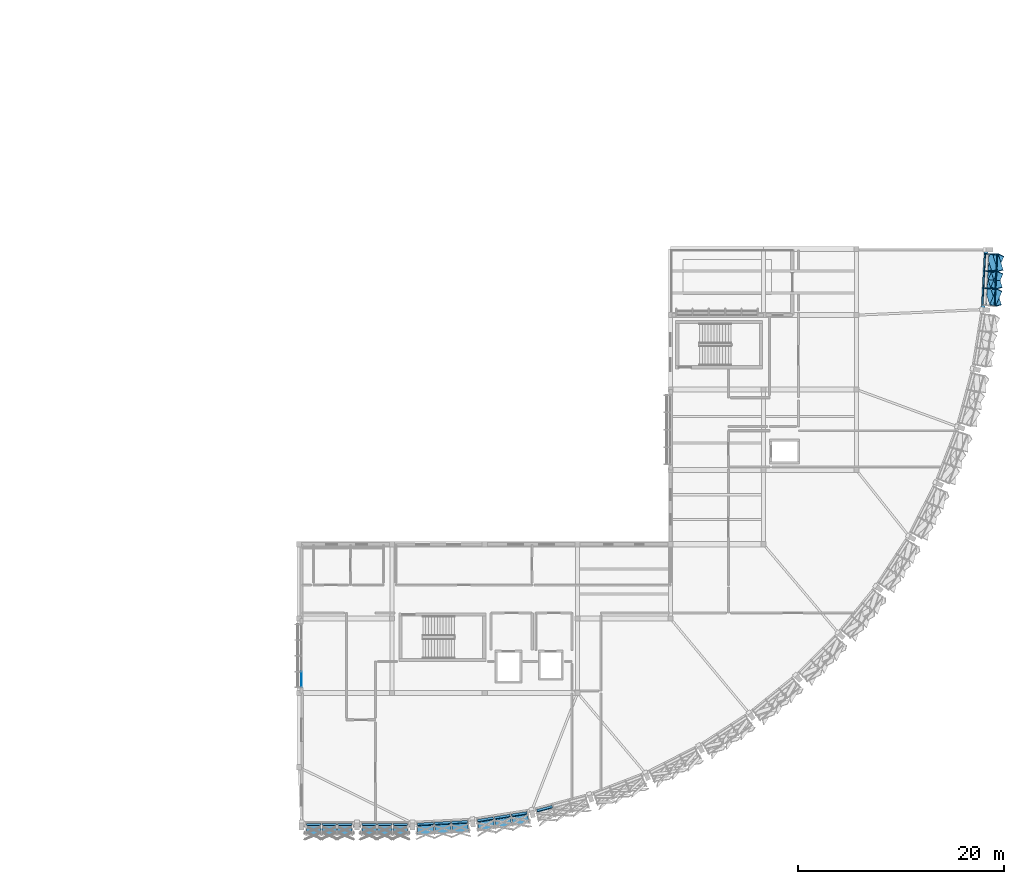
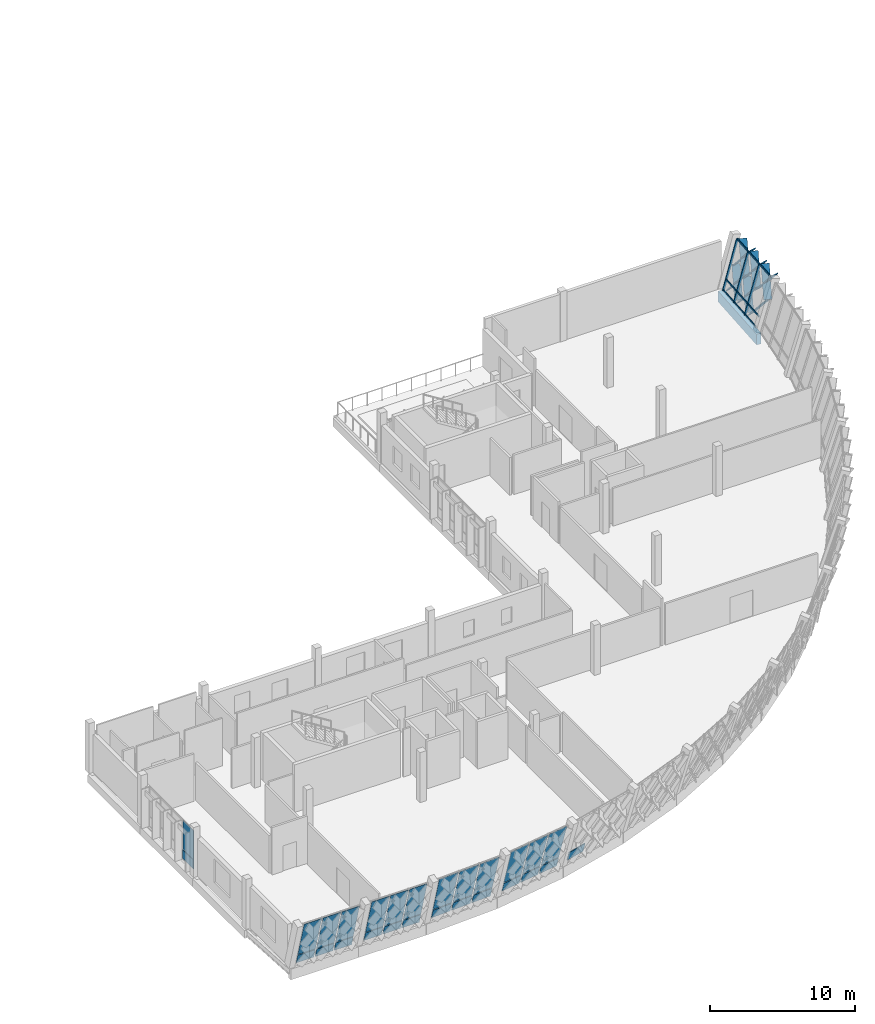
# One storey, part 14 of 24: 27 plates, 17 members, 1 beam, 7 elements without a shape of their own.
"""IFC4 building model written with IfcOpenShell, lengths in metres."""

from ifc_helpers import new_model, si_unit, direction, frame, origin, origin_2d, place, context, subcontext, project, spatial, polyline, rectangle, hollow_rectangle, outline, extrude, material, layer, layer_set, material_profile, profile_set, type_object, element, aggregate, save


model = new_model("IFC4")

# Units and contexts
model_context = context("Model", 3, precision=1e-05, world=origin(), true_north=direction((0.0, 1.0)))
body_context = subcontext(model_context, "Body", "Model", "MODEL_VIEW")
ifc_project = project(units=[si_unit("LENGTHUNIT", "METRE"), si_unit("AREAUNIT", "SQUARE_METRE"), si_unit("VOLUMEUNIT", "CUBIC_METRE"), si_unit("PLANEANGLEUNIT", "RADIAN"), si_unit("MASSUNIT", "GRAM", prefix="KILO")], contexts=[model_context])

# Site, building, storey
site_placement = place(None, origin())
site = spatial("IfcSite", under=ifc_project, at=site_placement, CompositionType="ELEMENT")
building_placement = place(site_placement, origin())
building = spatial("IfcBuilding", under=site, at=building_placement, Name="Chiffa Square Polytechnic", CompositionType="ELEMENT")
storey_placement = place(building_placement, frame((0.0, 0.0, 22.199951171875)))
storey = spatial("IfcBuildingStorey", under=building, at=storey_placement, Name="L05", CompositionType="ELEMENT", Elevation=22.199951171875)

# Curtain wall, members
ifc_material_1 = material(Name="Aluminium EN AW-6060 T66 and glulam shading", Category="wood")
curtain_wall_type_1 = type_object("IfcCurtainWallType", Name="CW-PROW-LEAN-150", PredefinedType="USERDEFINED", material=ifc_material_1)
curtain_wall_1_placement = place(storey_placement, origin())
curtain_wall_1 = element("IfcCurtainWall", 1, at=curtain_wall_1_placement, inside=storey, type_object=curtain_wall_type_1, Name="Outward-leaning diamond-fin prow curtain wall CW-V1-L05-094", ObjectType="CURTAIN WALL", PredefinedType="USERDEFINED")
ifc_material_2 = material(Name="Aluminium EN AW-6060 T66", Category="aluminium")
ifc_material_profile_1 = material_profile(ifc_material_2, hollow_rectangle(XDim=0.06494140625, YDim=0.179931640625, WallThickness=0.00390625, at=origin_2d()), Name="ALU 65x180x4")
ifc_profile_set_1 = profile_set([ifc_material_profile_1], Name="Aluminium EN AW-6060 T66")
member_type_1 = type_object("IfcMemberType", Name="CWM-ALU-75X180", PredefinedType="MULLION", material=ifc_profile_set_1)
member_1_placement = place(storey_placement, frame((178.569580078125, 53.62109375, 0.0), z_axis=(0.271465499192, -0.019065743909, 0.962259310247), x_axis=(0.070060081722, 0.997542773494, 0.0)))
member_1 = element("IfcMember", 2, at=member_1_placement, type_object=member_type_1, Name="Leaning prow mullion CW-V1-L05-094-M01", PredefinedType="MULLION", context=body_context, shape_type="SweptSolid", body=[
    extrude(hollow_rectangle(XDim=0.06494140625, YDim=0.179931640625, WallThickness=0.00390625, at=origin_2d()), origin(), (0.0, 0.0, 1.0), 4.135986328125),
])
member_2_placement = place(storey_placement, frame((178.65625, 55.27099609375, 0.0), z_axis=(0.271885307091, -0.009503589762, 0.962282734735), x_axis=(0.03493307301, 0.999389653944, 0.0)))
member_2 = element("IfcMember", 3, at=member_2_placement, type_object=member_type_1, Name="Leaning prow mullion CW-V1-L05-094-M02", PredefinedType="MULLION", context=body_context, shape_type="SweptSolid", body=[
    extrude(hollow_rectangle(XDim=0.06494140625, YDim=0.179931640625, WallThickness=0.00390625, at=origin_2d()), origin(), (0.0, 0.0, 1.0), 4.135986328125),
])
member_3_placement = place(storey_placement, frame((178.742919921875, 56.9208984375, 0.0), z_axis=(0.272225541224, 0.0, 0.962233472036), x_axis=(0.0, 1.0, 0.0)))
member_3 = element("IfcMember", 4, at=member_3_placement, type_object=member_type_1, Name="Leaning prow mullion CW-V1-L05-094-M03", PredefinedType="MULLION", context=body_context, shape_type="SweptSolid", body=[
    extrude(hollow_rectangle(XDim=0.06494140625, YDim=0.179931640625, WallThickness=0.00390625, at=origin_2d()), origin(), (0.0, 0.0, 1.0), 4.13623046875),
])
ifc_material_3 = material(Name="Glulam GL28h", Category="wood")
ifc_material_profile_2 = material_profile(ifc_material_3, rectangle(XDim=0.080078125, YDim=0.580078125, at=origin_2d()), Name="GL28h 80x580")
ifc_profile_set_2 = profile_set([ifc_material_profile_2], Name="Glulam GL28h")
member_type_2 = type_object("IfcMemberType", Name="CWM-GL-80X580", PredefinedType="MULLION", material=ifc_profile_set_2)
member_4_placement = place(storey_placement, frame((178.950927734375, 53.510009765625, 0.0400390625), z_axis=(0.187310678606, -0.605418330904, 0.77355242504), x_axis=(-0.178325938033, 0.753447584848, 0.632863805815)))
member_4 = element("IfcMember", 5, at=member_4_placement, type_object=member_type_2, Name="Diamond glulam fin CW-V1-L05-094-DF01B", PredefinedType="MULLION", context=body_context, shape_type="SweptSolid", body=[
    extrude(rectangle(XDim=0.080078125, YDim=0.580078125, at=origin_2d()), origin(), (0.0, 0.0, 1.0), 2.520751953125),
])
member_5_placement = place(storey_placement, frame((179.423095703125, 51.98388671875, 1.989990234375), z_axis=(0.250362480759, 0.576943399478, 0.777467003819), x_axis=(-0.357080966318, -0.69139825291, 0.62806181174)))
member_5 = element("IfcMember", 6, at=member_5_placement, type_object=member_type_2, Name="Diamond glulam fin CW-V1-L05-094-DF02A", PredefinedType="MULLION", context=body_context, shape_type="SweptSolid", body=[
    extrude(rectangle(XDim=0.080078125, YDim=0.580078125, at=origin_2d()), origin(), (0.0, 0.0, 1.0), 2.508056640625),
])
member_6_placement = place(storey_placement, frame((179.5009765625, 53.469970703125, 1.989990234375), z_axis=(0.18608770538, -0.609680818042, 0.770493780649), x_axis=(-0.174562912177, 0.751200000269, 0.636573915023)))
member_6 = element("IfcMember", 7, at=member_6_placement, type_object=member_type_2, Name="Diamond glulam fin CW-V1-L05-094-DF02B", PredefinedType="MULLION", context=body_context, shape_type="SweptSolid", body=[
    extrude(rectangle(XDim=0.080078125, YDim=0.580078125, at=origin_2d()), origin(), (0.0, 0.0, 1.0), 2.53076171875),
])
member_7_placement = place(storey_placement, frame((178.9599609375, 53.69091796875, 0.0400390625), z_axis=(0.250249996705, 0.577462570156, 0.77711769972), x_axis=(-0.356601814254, -0.691253912295, 0.628492780235)))
member_7 = element("IfcMember", 8, at=member_7_placement, type_object=member_type_2, Name="Diamond glulam fin CW-V1-L05-094-DF03A", PredefinedType="MULLION", context=body_context, shape_type="SweptSolid", body=[
    extrude(rectangle(XDim=0.080078125, YDim=0.580078125, at=origin_2d()), origin(), (0.0, 0.0, 1.0), 2.50927734375),
])
member_8_placement = place(storey_placement, frame((179.037109375, 55.159912109375, 0.0400390625), z_axis=(0.188504444522, -0.600255763454, 0.777276715743), x_axis=(-0.182631696885, 0.756233419708, 0.628296648256)))
member_8 = element("IfcMember", 9, at=member_8_placement, type_object=member_type_2, Name="Diamond glulam fin CW-V1-L05-094-DF03B", PredefinedType="MULLION", context=body_context, shape_type="SweptSolid", body=[
    extrude(rectangle(XDim=0.080078125, YDim=0.580078125, at=origin_2d()), origin(), (0.0, 0.0, 1.0), 2.5087890625),
])
member_9_placement = place(storey_placement, frame((179.510009765625, 53.654052734375, 1.989990234375), z_axis=(0.2496293148, 0.58191926839, 0.773986543985), x_axis=(-0.352810365296, -0.68969429842, 0.632334263555)))
member_9 = element("IfcMember", 10, at=member_9_placement, type_object=member_type_2, Name="Diamond glulam fin CW-V1-L05-094-DF04A", PredefinedType="MULLION", context=body_context, shape_type="SweptSolid", body=[
    extrude(rectangle(XDim=0.080078125, YDim=0.580078125, at=origin_2d()), origin(), (0.0, 0.0, 1.0), 2.519287109375),
])
member_10_placement = place(storey_placement, frame((179.587890625, 55.139892578125, 1.989990234375), z_axis=(0.187409533375, -0.604865722506, 0.773960673767), x_axis=(-0.178753288316, 0.753764356418, 0.632365841037)))
member_10 = element("IfcMember", 11, at=member_10_placement, type_object=member_type_2, Name="Diamond glulam fin CW-V1-L05-094-DF04B", PredefinedType="MULLION", context=body_context, shape_type="SweptSolid", body=[
    extrude(rectangle(XDim=0.080078125, YDim=0.580078125, at=origin_2d()), origin(), (0.0, 0.0, 1.0), 2.51953125),
])
member_11_placement = place(storey_placement, frame((179.047119140625, 55.342041015625, 0.0400390625), z_axis=(0.249516700571, 0.582431646169, 0.773637378671), x_axis=(-0.352340494015, -0.689543804946, 0.63276023685)))
member_11 = element("IfcMember", 12, at=member_11_placement, type_object=member_type_2, Name="Diamond glulam fin CW-V1-L05-094-DF05A", PredefinedType="MULLION", context=body_context, shape_type="SweptSolid", body=[
    extrude(rectangle(XDim=0.080078125, YDim=0.580078125, at=origin_2d()), origin(), (0.0, 0.0, 1.0), 2.5205078125),
])
member_12_placement = place(storey_placement, frame((179.1240234375, 56.81103515625, 0.0400390625), z_axis=(0.189729697089, -0.595385669741, 0.780716687608), x_axis=(-0.186853634603, 0.758731714558, 0.624028769016)))
member_12 = element("IfcMember", 13, at=member_12_placement, type_object=member_type_2, Name="Diamond glulam fin CW-V1-L05-094-DF05B", PredefinedType="MULLION", context=body_context, shape_type="SweptSolid", body=[
    extrude(rectangle(XDim=0.080078125, YDim=0.580078125, at=origin_2d()), origin(), (0.0, 0.0, 1.0), 2.49755859375),
])
member_13_placement = place(storey_placement, frame((179.597900390625, 55.323974609375, 1.989990234375), z_axis=(0.248678293288, 0.586618294489, 0.770738660649), x_axis=(-0.348589879383, -0.688211544468, 0.636278214347)))
member_13 = element("IfcMember", 14, at=member_13_placement, type_object=member_type_2, Name="Diamond glulam fin CW-V1-L05-094-DF06A", PredefinedType="MULLION", context=body_context, shape_type="SweptSolid", body=[
    extrude(rectangle(XDim=0.080078125, YDim=0.580078125, at=origin_2d()), origin(), (0.0, 0.0, 1.0), 2.530029296875),
])
member_14_placement = place(storey_placement, frame((179.676025390625, 56.81005859375, 1.989990234375), z_axis=(0.18853747993, -0.600068953935, 0.777412933508), x_axis=(-0.182777656969, 0.756337785771, 0.628128555256)))
member_14 = element("IfcMember", 15, at=member_14_placement, type_object=member_type_2, Name="Diamond glulam fin CW-V1-L05-094-DF06B", PredefinedType="MULLION", context=body_context, shape_type="SweptSolid", body=[
    extrude(rectangle(XDim=0.080078125, YDim=0.580078125, at=origin_2d()), origin(), (0.0, 0.0, 1.0), 2.50830078125),
])
ifc_material_profile_3 = material_profile(ifc_material_2, hollow_rectangle(XDim=0.06494140625, YDim=0.139892578125, WallThickness=0.00390625, at=origin_2d()), Name="ALU 65x140x4")
ifc_profile_set_3 = profile_set([ifc_material_profile_3], Name="Aluminium EN AW-6060 T66")
member_type_3 = type_object("IfcMemberType", Name="CWT-ALU-75X140", PredefinedType="USERDEFINED", material=ifc_profile_set_3)
member_15_placement = place(storey_placement, frame((178.494384765625, 51.9697265625, 0.0400390625), z_axis=(0.052442529592, 0.99862394378, 0.0), x_axis=(-0.99862394378, 0.052442529592, 0.0)))
member_15 = element("IfcMember", 16, at=member_15_placement, type_object=member_type_3, Name="Leaning prow transom CW-V1-L05-094-T01", ObjectType="TRANSOM", PredefinedType="USERDEFINED", context=body_context, shape_type="SweptSolid", body=[
    extrude(hollow_rectangle(XDim=0.06494140625, YDim=0.139892578125, WallThickness=0.00390625, at=origin_2d()), origin(), (0.0, 0.0, 1.0), 4.9580078125),
])
member_16_placement = place(storey_placement, frame((178.722412109375, 51.94580078125, 0.85009765625), z_axis=(0.052386502086, 0.998626884476, 0.0), x_axis=(-0.998626884476, 0.052386502086, 0.0)))
member_16 = element("IfcMember", 17, at=member_16_placement, type_object=member_type_3, Name="Leaning prow transom CW-V1-L05-094-T02", ObjectType="TRANSOM", PredefinedType="USERDEFINED", context=body_context, shape_type="SweptSolid", body=[
    extrude(hollow_rectangle(XDim=0.06494140625, YDim=0.139892578125, WallThickness=0.00390625, at=origin_2d()), origin(), (0.0, 0.0, 1.0), 4.98193359375),
])
member_17_placement = place(storey_placement, frame((179.5927734375, 51.854248046875, 3.93994140625), z_axis=(0.05221029163, 0.99863611263, 0.0), x_axis=(-0.99863611263, 0.05221029163, 0.0)))
member_17 = element("IfcMember", 18, at=member_17_placement, type_object=member_type_3, Name="Leaning prow transom CW-V1-L05-094-T03", ObjectType="TRANSOM", PredefinedType="USERDEFINED", context=body_context, shape_type="SweptSolid", body=[
    extrude(hollow_rectangle(XDim=0.06494140625, YDim=0.139892578125, WallThickness=0.00390625, at=origin_2d()), origin(), (0.0, 0.0, 1.0), 5.073486328125),
])
aggregate(curtain_wall_1, [member_1, member_2, member_3, member_15, member_16, member_17, member_4, member_5, member_6, member_7, member_8, member_9, member_10, member_11, member_12, member_13, member_14])

# Beam
ifc_material_4 = material(Name="Glulam GL32c", Category="wood")
ifc_material_profile_4 = material_profile(ifc_material_4, rectangle(XDim=0.360107421875, YDim=0.89990234375, at=origin_2d()), Name="GL32c 360x900")
ifc_profile_set_4 = profile_set([ifc_material_profile_4], Name="Glulam GL32c")
beam_type = type_object("IfcBeamType", Name="RB-GL-360X900", PredefinedType="SPANDREL", material=ifc_profile_set_4)
beam_placement = place(storey_placement, frame((178.4609375, 51.5419921875, -0.7099609375), z_axis=(0.052261396894, 0.998633439453, 0.0), x_axis=(-0.998633439453, 0.052261396894, 0.0)))
element("IfcBeam", 19, at=beam_placement, inside=storey, type_object=beam_type, Name="Prow perimeter edge beam RB-V1-PROW-L05-17", PredefinedType="SPANDREL", context=body_context, shape_type="SweptSolid", body=[
    extrude(rectangle(XDim=0.360107421875, YDim=0.89990234375, at=origin_2d()), origin(), (0.0, 0.0, 1.0), 5.816162109375),
])

# Curtain wall, plates
curtain_wall_type_2 = type_object("IfcCurtainWallType", Name="CW-PROW-LEAN-300", PredefinedType="USERDEFINED", material=ifc_material_1)
curtain_wall_2_placement = place(storey_placement, origin())
curtain_wall_2 = element("IfcCurtainWall", 20, at=curtain_wall_2_placement, inside=storey, type_object=curtain_wall_type_2, Name="Outward-leaning diamond-fin prow curtain wall CW-V1-L05-079", ObjectType="CURTAIN WALL", PredefinedType="USERDEFINED")
ifc_material_5 = material(Name="Double glazing", Category="glass")
ifc_layer_1 = layer(ifc_material_5, 0.0458984375, Name="Double glazing")
ifc_layer_set_1 = layer_set([ifc_layer_1], Name="Double glazing")
plate_type_1 = type_object("IfcPlateType", Name="CWP-GLZ-128X106", PredefinedType="CURTAIN_PANEL", material=ifc_layer_set_1)
plate_1_placement = place(storey_placement, frame((118.30908203125, 1.536376953125, 0.8779296875), z_axis=(0.0, 0.962165007381, 0.272467426623), x_axis=(1.0, 0.0, 0.0)))
plate_1 = element("IfcPlate", 21, at=plate_1_placement, type_object=plate_type_1, Name="Leaning prow curtain panel CW-V1-L05-079-PN01", PredefinedType="CURTAIN_PANEL", context=body_context, shape_type="SweptSolid", body=[
    extrude(outline(polyline([(0.0, 0.0), (1.396728515625, 0.0), (1.396728515625, -3.1773436809658904), (0.0, -3.1773436809658904), (0.0, 0.0)])), origin(), (0.0, 0.0, -1.0), 0.0458984375),
])
plate_2_placement = place(storey_placement, frame((119.814208984375, 1.536376953125, 0.8779296875), z_axis=(0.0, 0.962165007381, 0.272467426623), x_axis=(1.0, 0.0, 0.0)))
plate_2 = element("IfcPlate", 22, at=plate_2_placement, type_object=plate_type_1, Name="Leaning prow curtain panel CW-V1-L05-079-PN02", PredefinedType="CURTAIN_PANEL", context=body_context, shape_type="SweptSolid", body=[
    extrude(outline(polyline([(0.0, 0.0), (1.396484375, 0.0), (1.396484375, -3.1773436809658904), (0.0, -3.1773436809658904), (0.0, 0.0)])), origin(), (0.0, 0.0, -1.0), 0.0458984375),
])
plate_3_placement = place(storey_placement, frame((121.319091796875, 1.536376953125, 0.8779296875), z_axis=(0.0, 0.962165007381, 0.272467426623), x_axis=(1.0, 0.0, 0.0)))
plate_3 = element("IfcPlate", 23, at=plate_3_placement, type_object=plate_type_1, Name="Leaning prow curtain panel CW-V1-L05-079-PN03", PredefinedType="CURTAIN_PANEL", context=body_context, shape_type="SweptSolid", body=[
    extrude(outline(polyline([(0.0, 0.0), (1.396728515625, 0.0), (1.396728515625, -3.1773436809658904), (0.0, -3.1773436809658904), (0.0, 0.0)])), origin(), (0.0, 0.0, -1.0), 0.0458984375),
])

curtain_wall_3_placement = place(storey_placement, origin())
curtain_wall_3 = element("IfcCurtainWall", 24, at=curtain_wall_3_placement, inside=storey, type_object=curtain_wall_type_1, Name="Outward-leaning diamond-fin prow curtain wall CW-V1-L05-078", ObjectType="CURTAIN WALL", PredefinedType="USERDEFINED")
ifc_layer_2 = layer(ifc_material_5, 0.0458984375, Name="Double glazing")
ifc_layer_set_2 = layer_set([ifc_layer_2], Name="Double glazing")
plate_type_2 = type_object("IfcPlateType", Name="CWP-GLZ-130X110", PredefinedType="CURTAIN_PANEL", material=ifc_layer_set_2)
plate_4_placement = place(storey_placement, frame((112.93408203125, 1.536376953125, 0.8779296875), z_axis=(0.0, 0.962165007381, 0.272467426623), x_axis=(1.0, 0.0, 0.0)))
plate_4 = element("IfcPlate", 25, at=plate_4_placement, type_object=plate_type_2, Name="Leaning prow curtain panel CW-V1-L05-078-PN01", PredefinedType="CURTAIN_PANEL", context=body_context, shape_type="SweptSolid", body=[
    extrude(outline(polyline([(0.0, 0.0), (1.396728515625, 0.0), (1.396728515625, -3.1773436809658904), (0.0, -3.1773436809658904), (0.0, 0.0)])), origin(), (0.0, 0.0, -1.0), 0.0458984375),
])
plate_5_placement = place(storey_placement, frame((114.439208984375, 1.536376953125, 0.8779296875), z_axis=(0.0, 0.962165007381, 0.272467426623), x_axis=(1.0, 0.0, 0.0)))
plate_5 = element("IfcPlate", 26, at=plate_5_placement, type_object=plate_type_2, Name="Leaning prow curtain panel CW-V1-L05-078-PN02", PredefinedType="CURTAIN_PANEL", context=body_context, shape_type="SweptSolid", body=[
    extrude(outline(polyline([(0.0, 0.0), (1.396484375, 0.0), (1.396484375, -3.1773436809658904), (0.0, -3.1773436809658904), (0.0, 0.0)])), origin(), (0.0, 0.0, -1.0), 0.0458984375),
])
plate_6_placement = place(storey_placement, frame((115.944091796875, 1.536376953125, 0.8779296875), z_axis=(0.0, 0.962165007381, 0.272467426623), x_axis=(1.0, 0.0, 0.0)))
plate_6 = element("IfcPlate", 27, at=plate_6_placement, type_object=plate_type_2, Name="Leaning prow curtain panel CW-V1-L05-078-PN03", PredefinedType="CURTAIN_PANEL", context=body_context, shape_type="SweptSolid", body=[
    extrude(outline(polyline([(0.0, 0.0), (1.396728515625, 0.0), (1.396728515625, -3.1773436809658904), (0.0, -3.1773436809658904), (0.0, 0.0)])), origin(), (0.0, 0.0, -1.0), 0.0458984375),
])

# Curtain wall, plate
curtain_wall_type_3 = type_object("IfcCurtainWallType", Name="CW-VERT-360X380", PredefinedType="USERDEFINED", material=ifc_material_1)
curtain_wall_4_placement = place(storey_placement, origin())
curtain_wall_4 = element("IfcCurtainWall", 28, at=curtain_wall_4_placement, inside=storey, type_object=curtain_wall_type_3, Name="Curtain wall CW-V1-L05-141", ObjectType="CURTAIN WALL", PredefinedType="USERDEFINED")
ifc_layer_3 = layer(ifc_material_5, 0.0380859375, Name="Double glazing")
ifc_layer_set_3 = layer_set([ifc_layer_3], Name="Double glazing")
plate_type_3 = type_object("IfcPlateType", Name="CWP-GLZ-146X138", PredefinedType="CURTAIN_PANEL", material=ifc_layer_set_3)
plate_7_placement = place(storey_placement, frame((112.449951171875, 15.716064453125, 0.83935546875), z_axis=(0.0, 0.0, 1.0), x_axis=(0.0, -1.0, 0.0)))
plate_7 = element("IfcPlate", 29, at=plate_7_placement, type_object=plate_type_3, Name="Glazed curtain panel CW-V1-L05-141-PN04", PredefinedType="CURTAIN_PANEL", context=body_context, shape_type="SweptSolid", body=[
    extrude(rectangle(XDim=1.4560546875, YDim=0.0380859375, at=origin_2d()), origin(), (0.0, 0.0, 1.0), 2.425048828125),
])

# Curtain wall, plates
curtain_wall_5_placement = place(storey_placement, origin())
curtain_wall_5 = element("IfcCurtainWall", 30, at=curtain_wall_5_placement, inside=storey, type_object=curtain_wall_type_2, Name="Outward-leaning diamond-fin prow curtain wall CW-V1-L05-081", ObjectType="CURTAIN WALL", PredefinedType="USERDEFINED")
ifc_layer_4 = layer(ifc_material_5, 0.035888671875, Name="Double glazing")
ifc_layer_set_4 = layer_set([ifc_layer_4], Name="Double glazing")
plate_type_4 = type_object("IfcPlateType", Name="CWP-GLZ-150X125", PredefinedType="CURTAIN_PANEL", material=ifc_layer_set_4)
plate_8_placement = place(storey_placement, frame((129.51806640625, 1.918212890625, 0.8779296875), z_axis=(-0.15070110395, 0.950436736791, 0.271954383354), x_axis=(0.987660871116, 0.156607801289, -1.5532045e-05)))
plate_8 = element("IfcPlate", 31, at=plate_8_placement, type_object=plate_type_4, Name="Leaning prow curtain panel CW-V1-L05-081-PN01", PredefinedType="CURTAIN_PANEL", context=body_context, shape_type="SweptSolid", body=[
    extrude(outline(polyline([(0.0, 0.0), (1.541247716524625, 0.0), (1.524821217872189, -3.17688908205727), (-0.044082834147293665, -3.1768388830469076), (0.0, 0.0)])), origin(), (0.0, 0.0, -1.0), 0.035888671875),
])
plate_9_placement = place(storey_placement, frame((131.158203125, 2.17822265625, 0.8779296875), z_axis=(-0.150627899852, 0.950451472388, 0.271943439747), x_axis=(0.987673923758, 0.156525462156, 5.122028e-06)))
plate_9 = element("IfcPlate", 32, at=plate_9_placement, type_object=plate_type_4, Name="Leaning prow curtain panel CW-V1-L05-081-PN02", PredefinedType="CURTAIN_PANEL", context=body_context, shape_type="SweptSolid", body=[
    extrude(outline(polyline([(0.0, 0.0), (1.5412094900484354, 1.3877787807814457e-17), (1.555100474045489, -3.176845983564848), (-0.013803580890556895, -3.1768625375188497), (0.0, 0.0)])), origin(), (0.0, 0.0, -1.0), 0.035888671875),
])
plate_10_placement = place(storey_placement, frame((132.798583984375, 2.438232421875, 0.8779296875), z_axis=(-0.15063878032, 0.950444581347, 0.271961496635), x_axis=(0.9876718555, 0.156538512354, 1.848901e-06)))
plate_10 = element("IfcPlate", 33, at=plate_10_placement, type_object=plate_type_4, Name="Leaning prow curtain panel CW-V1-L05-081-PN03", PredefinedType="CURTAIN_PANEL", context=body_context, shape_type="SweptSolid", body=[
    extrude(outline(polyline([(0.0, 0.0), (1.540968358738284, 1.3877787807814457e-17), (1.5849820129952998, -3.176868061747958), (0.01607795774972595, -3.176874036806173), (0.0, 0.0)])), origin(), (0.0, 0.0, -1.0), 0.035888671875),
])

curtain_wall_6_placement = place(storey_placement, origin())
curtain_wall_6 = element("IfcCurtainWall", 34, at=curtain_wall_6_placement, inside=storey, type_object=curtain_wall_type_1, Name="Outward-leaning diamond-fin prow curtain wall CW-V1-L05-080", ObjectType="CURTAIN WALL", PredefinedType="USERDEFINED")
ifc_layer_5 = layer(ifc_material_5, 0.035888671875, Name="Double glazing")
ifc_layer_set_5 = layer_set([ifc_layer_5], Name="Double glazing")
plate_type_5 = type_object("IfcPlateType", Name="CWP-GLZ-150X145", PredefinedType="CURTAIN_PANEL", material=ifc_layer_set_5)
plate_11_placement = place(storey_placement, frame((123.688720703125, 1.561767578125, 0.8779296875), z_axis=(-0.050296903081, 0.961003140698, 0.271924962275), x_axis=(0.998632560623, 0.052278170577, -4.1779907e-05)))
plate_11 = element("IfcPlate", 35, at=plate_11_placement, type_object=plate_type_5, Name="Leaning prow curtain panel CW-V1-L05-080-PN01", PredefinedType="CURTAIN_PANEL", context=body_context, shape_type="SweptSolid", body=[
    extrude(outline(polyline([(0.0, 0.0), (1.5414263596645992, 0.0), (1.5251553487300393, -3.1769032424726755), (-0.04435984324752423, -3.1767681781925763), (0.0, 0.0)])), origin(), (0.0, 0.0, -1.0), 0.035888671875),
])
plate_12_placement = place(storey_placement, frame((125.347412109375, 1.648681640625, 0.8779296875), z_axis=(-0.050371176444, 0.960979340707, 0.271995314883), x_axis=(0.998628764361, 0.052350649838, -2.1277113e-05)))
plate_12 = element("IfcPlate", 36, at=plate_12_placement, type_object=plate_type_5, Name="Leaning prow curtain panel CW-V1-L05-080-PN02", PredefinedType="CURTAIN_PANEL", context=body_context, shape_type="SweptSolid", body=[
    extrude(outline(polyline([(0.0, 0.0), (1.5414263731424231, 0.0), (1.5554639372303138, -3.1769370548435734), (-0.014064013341475855, -3.1768682694082004), (0.0, 0.0)])), origin(), (0.0, 0.0, -1.0), 0.035888671875),
])
plate_13_placement = place(storey_placement, frame((127.006103515625, 1.73583984375, 0.8779296875), z_axis=(-0.050369599399, 0.960949253896, 0.272101883297), x_axis=(0.998628764114, 0.052350654545, -2.1284783e-05)))
plate_13 = element("IfcPlate", 37, at=plate_13_placement, type_object=plate_type_5, Name="Leaning prow curtain panel CW-V1-L05-080-PN03", PredefinedType="CURTAIN_PANEL", context=body_context, shape_type="SweptSolid", body=[
    extrude(outline(polyline([(0.0, 0.0), (1.5414263731427185, 3.469446951953614e-18), (1.5857597397925398, -3.1770372055799965), (0.016231789221641413, -3.1769683931943256), (0.0, 0.0)])), origin(), (0.0, 0.0, -1.0), 0.035888671875),
])

# Plate
ifc_material_6 = material(Name="Aluminium insulated spandrel", Category="aluminium")
ifc_layer_6 = layer(ifc_material_6, 0.072021484375, Name="Aluminium insulated spandrel")
ifc_layer_set_6 = layer_set([ifc_layer_6], Name="Aluminium insulated spandrel")
plate_type_6 = type_object("IfcPlateType", Name="CWP-SPN-136X072", PredefinedType="SHEET", material=ifc_layer_set_6)
plate_14_placement = place(storey_placement, frame((112.449951171875, 15.716064453125, 0.050048828125), z_axis=(0.0, 0.0, 1.0), x_axis=(0.0, -1.0, 0.0)))
plate_14 = element("IfcPlate", 38, at=plate_14_placement, type_object=plate_type_6, Name="Spandrel panel CW-V1-L05-141-SP04", PredefinedType="SHEET", context=body_context, shape_type="SweptSolid", body=[
    extrude(rectangle(XDim=1.4560546875, YDim=0.072021484375, at=origin_2d()), origin(), (0.0, 0.0, 1.0), 0.75),
])

aggregate(curtain_wall_4, [plate_14, plate_7])

# Curtain wall, plate
curtain_wall_7_placement = place(storey_placement, origin())
curtain_wall_7 = element("IfcCurtainWall", 39, at=curtain_wall_7_placement, inside=storey, type_object=curtain_wall_type_1, Name="Outward-leaning diamond-fin prow curtain wall CW-V1-L05-082", ObjectType="CURTAIN WALL", PredefinedType="USERDEFINED")
ifc_layer_7 = layer(ifc_material_6, 0.06591796875, Name="Aluminium insulated spandrel")
ifc_layer_set_7 = layer_set([ifc_layer_7], Name="Aluminium insulated spandrel")
plate_type_7 = type_object("IfcPlateType", Name="CWP-SPN-144X078", PredefinedType="SHEET", material=ifc_layer_set_7)
plate_15_placement = place(storey_placement, frame((135.228515625, 3.111572265625, 0.050048828125), z_axis=(-0.24903567268, 0.929509028071, 0.272018750213), x_axis=(0.965931717357, 0.25879705814, -1.0098509e-05)))
plate_15 = element("IfcPlate", 40, at=plate_15_placement, type_object=plate_type_7, Name="Leaning prow curtain panel CW-V1-L05-082-SP01", PredefinedType="SHEET", context=body_context, shape_type="SweptSolid", body=[
    extrude(outline(polyline([(0.0, 0.0), (1.5337103704730155, 1.3877787807814457e-17), (1.5295618209808504, -0.8022389686887934), (-0.011193878469941802, -0.8022067045468149), (0.0, 0.0)])), origin(), (0.0, 0.0, -1.0), 0.06591796875),
])
aggregate(curtain_wall_7, [plate_15])

# Plate
ifc_layer_8 = layer(ifc_material_6, 0.06396484375, Name="Aluminium insulated spandrel")
ifc_layer_set_8 = layer_set([ifc_layer_8], Name="Aluminium insulated spandrel")
plate_type_8 = type_object("IfcPlateType", Name="CWP-SPN-146X082", PredefinedType="SHEET", material=ifc_layer_set_8)
plate_16_placement = place(storey_placement, frame((129.4931640625, 2.151123046875, 0.050048828125), z_axis=(-0.150705378303, 0.950467946223, 0.271842918161), x_axis=(0.987661122671, 0.156606215118, -1.230314e-05)))
plate_16 = element("IfcPlate", 41, at=plate_16_placement, type_object=plate_type_8, Name="Leaning prow curtain panel CW-V1-L05-081-SP01", PredefinedType="SHEET", context=body_context, shape_type="SweptSolid", body=[
    extrude(outline(polyline([(0.0, 0.0), (1.5335815724425832, -1.3877787807814457e-17), (1.5296349357977088, -0.8022010534534217), (-0.011092290311359042, -0.8021617496855559), (0.0, 0.0)])), origin(), (0.0, 0.0, -1.0), 0.06396484375),
])

plate_17_placement = place(storey_placement, frame((131.12548828125, 2.409912109375, 0.050048828125), z_axis=(-0.150719698867, 0.950405403354, 0.272053563932), x_axis=(0.987657224941, 0.156630794771, -1.2329023e-05)))
plate_17 = element("IfcPlate", 42, at=plate_17_placement, type_object=plate_type_8, Name="Leaning prow curtain panel CW-V1-L05-081-SP02", PredefinedType="SHEET", context=body_context, shape_type="SweptSolid", body=[
    extrude(outline(polyline([(0.0, 0.0), (1.5333404463772728, 0.0), (1.5367751382907067, -0.8022508114732552), (-0.0037109581603848923, -0.8022114287626325), (0.0, 0.0)])), origin(), (0.0, 0.0, -1.0), 0.06396484375),
])

plate_18_placement = place(storey_placement, frame((132.757568359375, 2.668701171875, 0.050048828125), z_axis=(-0.150628740293, 0.950466587026, 0.271890142421), x_axis=(0.987674314593, 0.156522995831, 8.312873e-06)))
plate_18 = element("IfcPlate", 43, at=plate_18_placement, type_object=plate_type_8, Name="Leaning prow curtain panel CW-V1-L05-081-SP03", PredefinedType="SHEET", context=body_context, shape_type="SweptSolid", body=[
    extrude(outline(polyline([(0.0, 0.0), (1.533543347811908, 0.0), (1.5447221593726888, -0.8021792749098928), (0.003994932141260276, -0.8022058313586232), (0.0, 0.0)])), origin(), (0.0, 0.0, -1.0), 0.06396484375),
])

aggregate(curtain_wall_5, [plate_16, plate_8, plate_17, plate_9, plate_18, plate_10])

ifc_layer_9 = layer(ifc_material_6, 0.06201171875, Name="Aluminium insulated spandrel")
ifc_layer_set_9 = layer_set([ifc_layer_9], Name="Aluminium insulated spandrel")
plate_type_9 = type_object("IfcPlateType", Name="CWP-SPN-148X084", PredefinedType="SHEET", material=ifc_layer_set_9)
plate_19_placement = place(storey_placement, frame((123.6884765625, 1.7958984375, 0.050048828125), z_axis=(-0.050433687234, 0.960990985847, 0.27194258275), x_axis=(0.998625261779, 0.052417416983, -3.0561984e-05)))
plate_19 = element("IfcPlate", 44, at=plate_19_placement, type_object=plate_type_9, Name="Leaning prow curtain panel CW-V1-L05-080-SP01", PredefinedType="SHEET", context=body_context, shape_type="SweptSolid", body=[
    extrude(outline(polyline([(0.0, 0.0), (1.5338556250011326, 0.0), (1.5294616613331384, -0.8022535451737164), (-0.01122050354343554, -0.8021559013428327), (0.0, 0.0)])), origin(), (0.0, 0.0, -1.0), 0.06201171875),
])

plate_20_placement = place(storey_placement, frame((125.3388671875, 1.8828125, 0.050048828125), z_axis=(-0.050426965192, 0.960939304887, 0.272126392519), x_axis=(0.998626080421, 0.052401826333, 9.951354e-06)))
plate_20 = element("IfcPlate", 45, at=plate_20_placement, type_object=plate_type_9, Name="Leaning prow curtain panel CW-V1-L05-080-SP02", PredefinedType="SHEET", context=body_context, shape_type="SweptSolid", body=[
    extrude(outline(polyline([(0.0, 0.0), (1.533842829450152, 3.469446951953614e-18), (1.5373109026918674, -0.8022323916941136), (-0.003627864254595299, -0.8022641899526591), (0.0, 0.0)])), origin(), (0.0, 0.0, -1.0), 0.06201171875),
])

plate_21_placement = place(storey_placement, frame((126.989501953125, 1.969482421875, 0.050048828125), z_axis=(-0.050354135327, 0.960931116659, 0.272168789708), x_axis=(0.998629691376, 0.052332966296, -1.1908491e-05)))
plate_21 = element("IfcPlate", 46, at=plate_21_placement, type_object=plate_type_9, Name="Leaning prow curtain panel CW-V1-L05-080-SP03", PredefinedType="SHEET", context=body_context, shape_type="SweptSolid", body=[
    extrude(outline(polyline([(0.0, 0.0), (1.5335990234155963, 3.469446951953614e-18), (1.544879842185353, -0.8022774060102836), (0.003953859856777207, -0.8022393566779332), (0.0, 0.0)])), origin(), (0.0, 0.0, -1.0), 0.06201171875),
])

aggregate(curtain_wall_6, [plate_19, plate_11, plate_20, plate_12, plate_21, plate_13])

ifc_layer_10 = layer(ifc_material_6, 0.06005859375, Name="Aluminium insulated spandrel")
ifc_layer_set_10 = layer_set([ifc_layer_10], Name="Aluminium insulated spandrel")
plate_type_10 = type_object("IfcPlateType", Name="CWP-SPN-150X080", PredefinedType="SHEET", material=ifc_layer_set_10)
plate_22_placement = place(storey_placement, frame((118.30908203125, 1.770751953125, 0.050048828125), z_axis=(0.0, 0.962198523194, 0.272349044358), x_axis=(1.0, 0.0, 0.0)))
plate_22 = element("IfcPlate", 47, at=plate_22_placement, type_object=plate_type_10, Name="Leaning prow curtain panel CW-V1-L05-079-SP01", PredefinedType="SHEET", context=body_context, shape_type="SweptSolid", body=[
    extrude(outline(polyline([(0.0, 0.0), (1.396728515625, 0.0), (1.396728515625, -0.8023008117775327), (0.0, -0.8023008117775327), (0.0, 0.0)])), origin(), (0.0, 0.0, -1.0), 0.06005859375),
])

plate_23_placement = place(storey_placement, frame((119.814208984375, 1.770751953125, 0.050048828125), z_axis=(0.0, 0.962198523194, 0.272349044358), x_axis=(1.0, 0.0, 0.0)))
plate_23 = element("IfcPlate", 48, at=plate_23_placement, type_object=plate_type_10, Name="Leaning prow curtain panel CW-V1-L05-079-SP02", PredefinedType="SHEET", context=body_context, shape_type="SweptSolid", body=[
    extrude(outline(polyline([(0.0, 0.0), (1.396484375, 0.0), (1.396484375, -0.8023008117775327), (0.0, -0.8023008117775327), (0.0, 0.0)])), origin(), (0.0, 0.0, -1.0), 0.06005859375),
])

plate_24_placement = place(storey_placement, frame((121.319091796875, 1.770751953125, 0.050048828125), z_axis=(0.0, 0.962198523194, 0.272349044358), x_axis=(1.0, 0.0, 0.0)))
plate_24 = element("IfcPlate", 49, at=plate_24_placement, type_object=plate_type_10, Name="Leaning prow curtain panel CW-V1-L05-079-SP03", PredefinedType="SHEET", context=body_context, shape_type="SweptSolid", body=[
    extrude(outline(polyline([(0.0, 0.0), (1.396728515625, 0.0), (1.396728515625, -0.8023008117775327), (0.0, -0.8023008117775327), (0.0, 0.0)])), origin(), (0.0, 0.0, -1.0), 0.06005859375),
])

aggregate(curtain_wall_2, [plate_22, plate_1, plate_23, plate_2, plate_24, plate_3])

ifc_layer_11 = layer(ifc_material_6, 0.06005859375, Name="Aluminium insulated spandrel")
ifc_layer_set_11 = layer_set([ifc_layer_11], Name="Aluminium insulated spandrel")
plate_type_11 = type_object("IfcPlateType", Name="CWP-SPN-150X095", PredefinedType="SHEET", material=ifc_layer_set_11)
plate_25_placement = place(storey_placement, frame((112.93408203125, 1.770751953125, 0.050048828125), z_axis=(0.0, 0.962198523194, 0.272349044358), x_axis=(1.0, 0.0, 0.0)))
plate_25 = element("IfcPlate", 50, at=plate_25_placement, type_object=plate_type_11, Name="Leaning prow curtain panel CW-V1-L05-078-SP01", PredefinedType="SHEET", context=body_context, shape_type="SweptSolid", body=[
    extrude(outline(polyline([(0.0, 0.0), (1.396728515625, 0.0), (1.396728515625, -0.8023008117775327), (0.0, -0.8023008117775327), (0.0, 0.0)])), origin(), (0.0, 0.0, -1.0), 0.06005859375),
])

plate_26_placement = place(storey_placement, frame((114.439208984375, 1.770751953125, 0.050048828125), z_axis=(0.0, 0.962198523194, 0.272349044358), x_axis=(1.0, 0.0, 0.0)))
plate_26 = element("IfcPlate", 51, at=plate_26_placement, type_object=plate_type_11, Name="Leaning prow curtain panel CW-V1-L05-078-SP02", PredefinedType="SHEET", context=body_context, shape_type="SweptSolid", body=[
    extrude(outline(polyline([(0.0, 0.0), (1.396484375, 0.0), (1.396484375, -0.8023008117775327), (0.0, -0.8023008117775327), (0.0, 0.0)])), origin(), (0.0, 0.0, -1.0), 0.06005859375),
])

plate_27_placement = place(storey_placement, frame((115.944091796875, 1.770751953125, 0.050048828125), z_axis=(0.0, 0.962198523194, 0.272349044358), x_axis=(1.0, 0.0, 0.0)))
plate_27 = element("IfcPlate", 52, at=plate_27_placement, type_object=plate_type_11, Name="Leaning prow curtain panel CW-V1-L05-078-SP03", PredefinedType="SHEET", context=body_context, shape_type="SweptSolid", body=[
    extrude(outline(polyline([(0.0, 0.0), (1.396728515625, 0.0), (1.396728515625, -0.8023008117775327), (0.0, -0.8023008117775327), (0.0, 0.0)])), origin(), (0.0, 0.0, -1.0), 0.06005859375),
])

aggregate(curtain_wall_3, [plate_25, plate_4, plate_26, plate_5, plate_27, plate_6])

save(model, "model.ifc")
